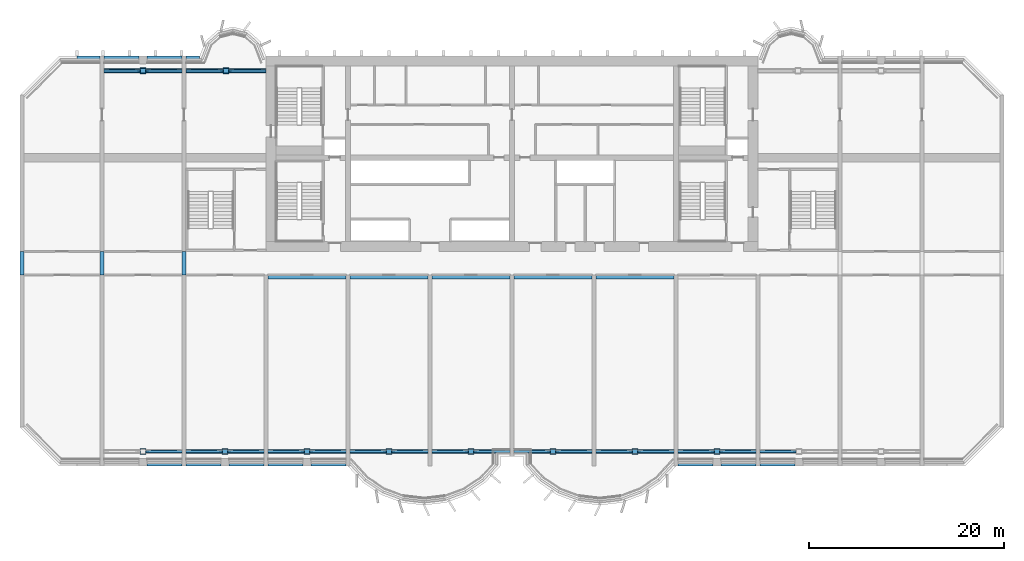
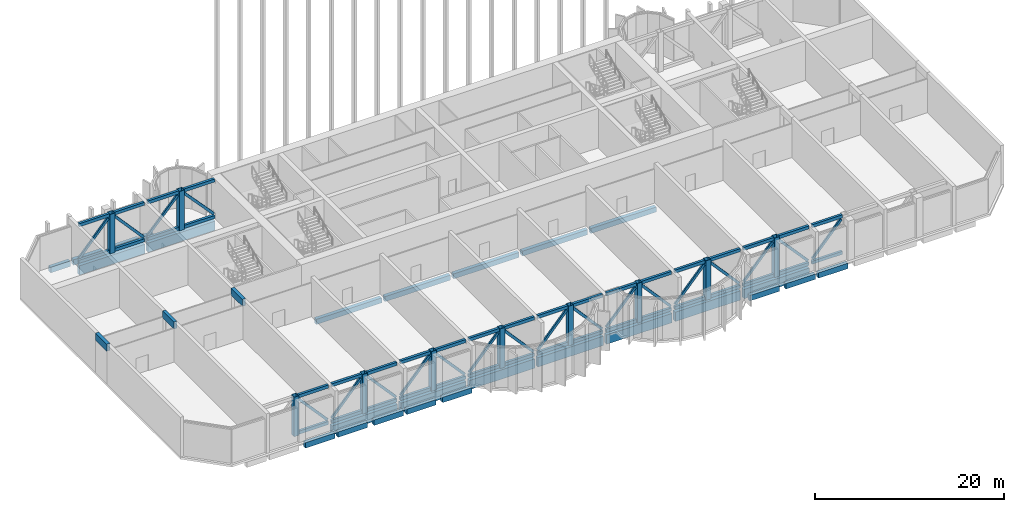
# One storey, part 2 of 17: 70 members, 29 beams.
"""IFC4 building model written with IfcOpenShell, lengths in metres."""

from ifc_helpers import new_model, si_unit, direction, frame, origin, origin_2d, place, context, subcontext, project, spatial, rectangle, hollow_rectangle, extrude, source, transform, mapped, material, material_profile, profile_set, type_object, element, save


model = new_model("IFC4")

# Units and contexts
model_context = context("Model", 3, precision=1e-05, world=origin(), true_north=direction((0.0, 1.0)))
body_context = subcontext(model_context, "Body", "Model", "MODEL_VIEW")
ifc_project = project(units=[si_unit("LENGTHUNIT", "METRE"), si_unit("AREAUNIT", "SQUARE_METRE"), si_unit("VOLUMEUNIT", "CUBIC_METRE"), si_unit("PLANEANGLEUNIT", "RADIAN"), si_unit("MASSUNIT", "GRAM", prefix="KILO")], contexts=[model_context])

# Site, building, storey
site_placement = place(None, origin())
site = spatial("IfcSite", under=ifc_project, at=site_placement, CompositionType="ELEMENT")
building_placement = place(site_placement, origin())
building = spatial("IfcBuilding", under=site, at=building_placement, Name="Vanashikhar Sky Hotel", CompositionType="ELEMENT")
storey_placement = place(building_placement, frame((0.0, 0.0, 81.0)))
storey = spatial("IfcBuildingStorey", under=building, at=storey_placement, Name="L19", CompositionType="ELEMENT", Elevation=81.0)

# Beams
ifc_material_1 = material(Name="Concrete M50", Category="concrete")
ifc_material_profile_1 = material_profile(ifc_material_1, rectangle(XDim=0.39990234375, YDim=0.89990234375, at=origin_2d()))
ifc_profile_set_1 = profile_set([ifc_material_profile_1], Name="RC 400x900 beam Concrete M50")
beam_type_1 = type_object("IfcBeamType", Name="RC 400x900 beam Concrete M50", PredefinedType="LINTEL", material=ifc_profile_set_1)
shared_shape_1 = source(origin(), body_context, "Body", "SweptSolid", [
    extrude(rectangle(XDim=0.39990234375, YDim=0.89990234375, at=origin_2d()), origin(), (0.0, 0.0, 1.0), 2.39990234375),
])
for number, where, z_axis, x_axis, name in (
    (1, (0.199951171875, 19.60009765625, 4.669921875), (0.0, 1.0, 0.0), (-1.0, 0.0, 0.0), "LB-L19-XW01"),
    (2, (8.39990234375, 19.60009765625, 4.669921875), (0.0, 1.0, 0.0), (-1.0, 0.0, 0.0), "LB-L19-XW02"),
    (3, (16.800048828125, 19.60009765625, 4.669921875), (0.0, 1.0, 0.0), (-1.0, 0.0, 0.0), "LB-L19-XW03"),
):
    element("IfcBeam", number, at=place(storey_placement, frame(where, z_axis=z_axis, x_axis=x_axis)), inside=storey, type_object=beam_type_1, Name=name, PredefinedType="LINTEL", context=body_context, shape_type="MappedRepresentation", body=[
        mapped(shared_shape_1, transform((0.0, 0.0, 0.0), scale=1.0)),
    ])
ifc_material_profile_2 = material_profile(ifc_material_1, rectangle(XDim=0.449951171875, YDim=0.699951171875, at=origin_2d()))
ifc_profile_set_2 = profile_set([ifc_material_profile_2], Name="RC 450x700 beam Concrete M50")
beam_type_2 = type_object("IfcBeamType", Name="RC 450x700 beam Concrete M50", PredefinedType="BEAM", material=ifc_profile_set_2)
shared_shape_2 = source(origin(), body_context, "Body", "SweptSolid", [
    extrude(rectangle(XDim=0.449951171875, YDim=0.699951171875, at=origin_2d()), origin(), (0.0, 0.0, 1.0), 3.599853515625),
])
for number, where, z_axis, x_axis, name in (
    (4, (29.800048828125, 0.22509765625, -0.6298828125), (1.0, 0.0, 0.0), (0.0, 1.0, 0.0), "EB-L19-F06"),
    (5, (71.800048828125, 0.22509765625, -0.6298828125), (1.0, 0.0, 0.0), (0.0, 1.0, 0.0), "EB-L19-F09"),
    (6, (75.800048828125, 0.22509765625, -0.6298828125), (1.0, 0.0, 0.0), (0.0, 1.0, 0.0), "EB-L19-F10"),
    (7, (8.60009765625, 41.77490234375, -0.6298828125), (1.0, 0.0, 0.0), (0.0, 1.0, 0.0), "EB-L19-R01"),
):
    element("IfcBeam", number, at=place(storey_placement, frame(where, z_axis=z_axis, x_axis=x_axis)), inside=storey, type_object=beam_type_2, Name=name, PredefinedType="BEAM", context=body_context, shape_type="MappedRepresentation", body=[
        mapped(shared_shape_2, transform((0.0, 0.0, 0.0), scale=1.0)),
    ])
shared_shape_3 = source(origin(), body_context, "Body", "SweptSolid", [
    extrude(rectangle(XDim=0.449951171875, YDim=0.699951171875, at=origin_2d()), origin(), (0.0, 0.0, 1.0), 3.60009765625),
])
for number, where, z_axis, x_axis, name in (
    (8, (13.0, 0.22509765625, -0.6298828125), (1.0, 0.0, 0.0), (0.0, 1.0, 0.0), "EB-L19-F02"),
    (9, (17.0, 0.22509765625, -0.6298828125), (1.0, 0.0, 0.0), (0.0, 1.0, 0.0), "EB-L19-F03"),
    (10, (21.39990234375, 0.22509765625, -0.6298828125), (1.0, 0.0, 0.0), (0.0, 1.0, 0.0), "EB-L19-F04"),
    (11, (25.39990234375, 0.22509765625, -0.6298828125), (1.0, 0.0, 0.0), (0.0, 1.0, 0.0), "EB-L19-F05"),
    (12, (67.39990234375, 0.22509765625, -0.6298828125), (1.0, 0.0, 0.0), (0.0, 1.0, 0.0), "EB-L19-F08"),
    (13, (13.0, 41.77490234375, -0.6298828125), (1.0, 0.0, 0.0), (0.0, 1.0, 0.0), "EB-L19-R02"),
):
    element("IfcBeam", number, at=place(storey_placement, frame(where, z_axis=z_axis, x_axis=x_axis)), inside=storey, type_object=beam_type_2, Name=name, PredefinedType="BEAM", context=body_context, shape_type="MappedRepresentation", body=[
        mapped(shared_shape_3, transform((0.0, 0.0, 0.0), scale=1.0)),
    ])
ifc_material_profile_3 = material_profile(ifc_material_1, rectangle(XDim=0.449951171875, YDim=0.699951171875, at=origin_2d()))
ifc_profile_set_3 = profile_set([ifc_material_profile_3], Name="RC 450x700 cantilever beam Concrete M50")
beam_type_3 = type_object("IfcBeamType", Name="RC 450x700 cantilever beam Concrete M50", PredefinedType="SPANDREL", material=ifc_profile_set_3)
shared_shape_4 = source(origin(), body_context, "Body", "SweptSolid", [
    extrude(rectangle(XDim=0.449951171875, YDim=0.699951171875, at=origin_2d()), origin(), (0.0, 0.0, 1.0), 2.3798828125),
])
beam_1_placement = place(storey_placement, frame((5.820068359375, 41.77490234375, -0.6298828125), z_axis=(1.0, 0.0, 0.0), x_axis=(0.0, 1.0, 0.0)))
element("IfcBeam", 14, at=beam_1_placement, inside=storey, type_object=beam_type_3, Name="EB-L19-R03", PredefinedType="SPANDREL", context=body_context, shape_type="MappedRepresentation", body=[
    mapped(shared_shape_4, transform((0.0, 0.0, 0.0), scale=1.0)),
])
shared_shape_5 = source(origin(), body_context, "Body", "SweptSolid", [
    extrude(rectangle(XDim=0.449951171875, YDim=0.699951171875, at=origin_2d()), origin(), (0.0, 0.0, 1.0), 1.39990234375),
])
beam_2_placement = place(storey_placement, frame((17.0, 41.77490234375, -0.6298828125), z_axis=(1.0, 0.0, 0.0), x_axis=(0.0, 1.0, 0.0)))
element("IfcBeam", 15, at=beam_2_placement, inside=storey, type_object=beam_type_3, Name="EB-L19-R04", PredefinedType="SPANDREL", context=body_context, shape_type="MappedRepresentation", body=[
    mapped(shared_shape_5, transform((0.0, 0.0, 0.0), scale=1.0)),
])
ifc_material_profile_4 = material_profile(ifc_material_1, rectangle(XDim=0.449951171875, YDim=0.64990234375, at=origin_2d()))
ifc_profile_set_4 = profile_set([ifc_material_profile_4], Name="RC 450x650 beam Concrete M50")
beam_type_4 = type_object("IfcBeamType", Name="RC 450x650 beam Concrete M50", PredefinedType="BEAM", material=ifc_profile_set_4)
shared_shape_6 = source(origin(), body_context, "Body", "SweptSolid", [
    extrude(rectangle(XDim=0.449951171875, YDim=0.64990234375, at=origin_2d()), origin(), (0.0, 0.0, 1.0), 8.0),
])
for number, where, z_axis, x_axis, name in (
    (16, (25.39990234375, 19.375, -0.60498046875), (1.0, 0.0, 0.0), (0.0, 1.0, 0.0), "CB-L19-01"),
    (17, (33.800048828125, 19.375, -0.60498046875), (1.0, 0.0, 0.0), (0.0, 1.0, 0.0), "CB-L19-02"),
    (18, (42.199951171875, 19.375, -0.60498046875), (1.0, 0.0, 0.0), (0.0, 1.0, 0.0), "CB-L19-03"),
    (19, (50.60009765625, 19.375, -0.60498046875), (1.0, 0.0, 0.0), (0.0, 1.0, 0.0), "CB-L19-04"),
    (20, (59.0, 19.375, -0.60498046875), (1.0, 0.0, 0.0), (0.0, 1.0, 0.0), "CB-L19-05"),
):
    element("IfcBeam", number, at=place(storey_placement, frame(where, z_axis=z_axis, x_axis=x_axis)), inside=storey, type_object=beam_type_4, Name=name, PredefinedType="BEAM", context=body_context, shape_type="MappedRepresentation", body=[
        mapped(shared_shape_6, transform((0.0, 0.0, 0.0), scale=1.0)),
    ])
ifc_material_profile_5 = material_profile(ifc_material_1, rectangle(XDim=0.449951171875, YDim=1.199951171875, at=origin_2d()))
ifc_profile_set_5 = profile_set([ifc_material_profile_5], Name="RC 450x1200 beam Concrete M50")
beam_type_5 = type_object("IfcBeamType", Name="RC 450x1200 beam Concrete M50", PredefinedType="BEAM", material=ifc_profile_set_5)
shared_shape_7 = source(origin(), body_context, "Body", "SweptSolid", [
    extrude(rectangle(XDim=0.449951171875, YDim=1.199951171875, at=origin_2d()), origin(), (0.0, 0.0, 1.0), 8.0),
])
for number, where, z_axis, x_axis, name in (
    (21, (17.0, 1.5, -0.8798828125), (1.0, 0.0, 0.0), (0.0, 1.0, 0.0), "TG-L19-F02"),
    (22, (25.39990234375, 1.5, -0.8798828125), (1.0, 0.0, 0.0), (0.0, 1.0, 0.0), "TG-L19-F03"),
    (23, (33.800048828125, 1.5, -0.8798828125), (1.0, 0.0, 0.0), (0.0, 1.0, 0.0), "TG-L19-F04"),
    (24, (42.199951171875, 1.5, -0.8798828125), (1.0, 0.0, 0.0), (0.0, 1.0, 0.0), "TG-L19-F05"),
    (25, (50.60009765625, 1.5, -0.8798828125), (1.0, 0.0, 0.0), (0.0, 1.0, 0.0), "TG-L19-F06"),
    (26, (59.0, 1.5, -0.8798828125), (1.0, 0.0, 0.0), (0.0, 1.0, 0.0), "TG-L19-F07"),
    (27, (67.39990234375, 1.5, -0.8798828125), (1.0, 0.0, 0.0), (0.0, 1.0, 0.0), "TG-L19-F08"),
    (28, (8.60009765625, 40.5, -0.8798828125), (1.0, 0.0, 0.0), (0.0, 1.0, 0.0), "TG-L19-R11"),
):
    element("IfcBeam", number, at=place(storey_placement, frame(where, z_axis=z_axis, x_axis=x_axis)), inside=storey, type_object=beam_type_5, Name=name, PredefinedType="BEAM", context=body_context, shape_type="MappedRepresentation", body=[
        mapped(shared_shape_7, transform((0.0, 0.0, 0.0), scale=1.0)),
    ])

# Members
ifc_material_2 = material(Name="Steel S355", Category="steel")
ifc_material_profile_6 = material_profile(ifc_material_2, hollow_rectangle(XDim=0.60009765625, YDim=0.60009765625, WallThickness=0.030029296875, at=origin_2d()))
ifc_profile_set_6 = profile_set([ifc_material_profile_6], Name="RHS 600x600x30 Steel S355")
member_type_1 = type_object("IfcMemberType", Name="RHS 600x600x30 Steel S355", PredefinedType="POST", material=ifc_profile_set_6)
shared_shape_8 = source(origin(), body_context, "Body", "SweptSolid", [
    extrude(hollow_rectangle(XDim=0.60009765625, YDim=0.60009765625, WallThickness=0.030029296875, at=origin_2d()), origin(), (0.0, 0.0, 1.0), 5.1201171875),
])
for number, where, z_axis, x_axis, name in (
    (29, (12.60009765625, 1.5, 0.0), (0.0, 0.0, 1.0), (1.0, 0.0, 0.0), "BP-L19-F01"),
    (30, (21.0, 1.5, 0.0), (0.0, 0.0, 1.0), (1.0, 0.0, 0.0), "BP-L19-F02"),
    (31, (29.39990234375, 1.5, 0.0), (0.0, 0.0, 1.0), (1.0, 0.0, 0.0), "BP-L19-F03"),
    (32, (37.800048828125, 1.5, 0.0), (0.0, 0.0, 1.0), (1.0, 0.0, 0.0), "BP-L19-F04"),
    (33, (46.199951171875, 1.5, 0.0), (0.0, 0.0, 1.0), (1.0, 0.0, 0.0), "BP-L19-F05"),
    (34, (54.60009765625, 1.5, 0.0), (0.0, 0.0, 1.0), (1.0, 0.0, 0.0), "BP-L19-F06"),
    (35, (63.0, 1.5, 0.0), (0.0, 0.0, 1.0), (1.0, 0.0, 0.0), "BP-L19-F07"),
    (36, (71.39990234375, 1.5, 0.0), (0.0, 0.0, 1.0), (1.0, 0.0, 0.0), "BP-L19-F08"),
    (37, (12.60009765625, 40.5, 0.0), (0.0, 0.0, 1.0), (1.0, 0.0, 0.0), "BP-L19-R11"),
    (38, (21.10009765625, 40.5, 0.0), (0.0, 0.0, 1.0), (1.0, 0.0, 0.0), "BP-L19-R12"),
):
    element("IfcMember", number, at=place(storey_placement, frame(where, z_axis=z_axis, x_axis=x_axis)), inside=storey, type_object=member_type_1, Name=name, PredefinedType="POST", context=body_context, shape_type="MappedRepresentation", body=[
        mapped(shared_shape_8, transform((0.0, 0.0, 0.0), scale=1.0)),
    ])
ifc_material_profile_7 = material_profile(ifc_material_2, hollow_rectangle(XDim=0.300048828125, YDim=0.39990234375, WallThickness=0.01611328125, at=origin_2d()))
ifc_profile_set_7 = profile_set([ifc_material_profile_7], Name="RHS 400x300x16 Steel S355")
member_type_2 = type_object("IfcMemberType", Name="RHS 400x300x16 Steel S355", PredefinedType="CHORD", material=ifc_profile_set_7)
shared_shape_9 = source(origin(), body_context, "Body", "SweptSolid", [
    extrude(hollow_rectangle(XDim=0.300048828125, YDim=0.39990234375, WallThickness=0.01611328125, at=origin_2d()), origin(), (0.0, 0.0, 1.0), 3.699951171875),
])
for number, where, z_axis, x_axis, name in (
    (39, (17.0, 1.5, 0.199951171875), (1.0, 0.0, 0.0), (0.0, 1.0, 0.0), "BC-L19-F02BL"),
    (40, (21.300048828125, 1.5, 0.199951171875), (1.0, 0.0, 0.0), (0.0, 1.0, 0.0), "BC-L19-F02BR"),
    (41, (17.0, 1.5, 4.919921875), (1.0, 0.0, 0.0), (0.0, 1.0, 0.0), "BC-L19-F02TL"),
    (42, (21.300048828125, 1.5, 4.919921875), (1.0, 0.0, 0.0), (0.0, 1.0, 0.0), "BC-L19-F02TR"),
    (43, (29.699951171875, 1.5, 0.199951171875), (1.0, 0.0, 0.0), (0.0, 1.0, 0.0), "BC-L19-F03BR"),
    (44, (29.699951171875, 1.5, 4.919921875), (1.0, 0.0, 0.0), (0.0, 1.0, 0.0), "BC-L19-F03TR"),
    (45, (33.800048828125, 1.5, 0.199951171875), (1.0, 0.0, 0.0), (0.0, 1.0, 0.0), "BC-L19-F04BL"),
    (46, (38.10009765625, 1.5, 0.199951171875), (1.0, 0.0, 0.0), (0.0, 1.0, 0.0), "BC-L19-F04BR"),
    (47, (33.800048828125, 1.5, 4.919921875), (1.0, 0.0, 0.0), (0.0, 1.0, 0.0), "BC-L19-F04TL"),
    (48, (38.10009765625, 1.5, 4.919921875), (1.0, 0.0, 0.0), (0.0, 1.0, 0.0), "BC-L19-F04TR"),
    (49, (42.199951171875, 1.5, 0.199951171875), (1.0, 0.0, 0.0), (0.0, 1.0, 0.0), "BC-L19-F05BL"),
    (50, (46.5, 1.5, 0.199951171875), (1.0, 0.0, 0.0), (0.0, 1.0, 0.0), "BC-L19-F05BR"),
    (51, (42.199951171875, 1.5, 4.919921875), (1.0, 0.0, 0.0), (0.0, 1.0, 0.0), "BC-L19-F05TL"),
    (52, (46.5, 1.5, 4.919921875), (1.0, 0.0, 0.0), (0.0, 1.0, 0.0), "BC-L19-F05TR"),
    (53, (50.60009765625, 1.5, 0.199951171875), (1.0, 0.0, 0.0), (0.0, 1.0, 0.0), "BC-L19-F06BL"),
    (54, (50.60009765625, 1.5, 4.919921875), (1.0, 0.0, 0.0), (0.0, 1.0, 0.0), "BC-L19-F06TL"),
    (55, (59.0, 1.5, 0.199951171875), (1.0, 0.0, 0.0), (0.0, 1.0, 0.0), "BC-L19-F07BL"),
    (56, (63.300048828125, 1.5, 0.199951171875), (1.0, 0.0, 0.0), (0.0, 1.0, 0.0), "BC-L19-F07BR"),
    (57, (59.0, 1.5, 4.919921875), (1.0, 0.0, 0.0), (0.0, 1.0, 0.0), "BC-L19-F07TL"),
    (58, (63.300048828125, 1.5, 4.919921875), (1.0, 0.0, 0.0), (0.0, 1.0, 0.0), "BC-L19-F07TR"),
    (59, (71.699951171875, 1.5, 0.199951171875), (1.0, 0.0, 0.0), (0.0, 1.0, 0.0), "BC-L19-F08BR"),
    (60, (71.699951171875, 1.5, 4.919921875), (1.0, 0.0, 0.0), (0.0, 1.0, 0.0), "BC-L19-F08TR"),
    (61, (75.800048828125, 1.5, 0.199951171875), (1.0, 0.0, 0.0), (0.0, 1.0, 0.0), "BC-L19-F09BL"),
    (62, (75.800048828125, 1.5, 4.919921875), (1.0, 0.0, 0.0), (0.0, 1.0, 0.0), "BC-L19-F09TL"),
    (63, (8.60009765625, 40.5, 0.199951171875), (1.0, 0.0, 0.0), (0.0, 1.0, 0.0), "BC-L19-R11BL"),
    (64, (8.60009765625, 40.5, 4.919921875), (1.0, 0.0, 0.0), (0.0, 1.0, 0.0), "BC-L19-R11TL"),
):
    element("IfcMember", number, at=place(storey_placement, frame(where, z_axis=z_axis, x_axis=x_axis)), inside=storey, type_object=member_type_2, Name=name, PredefinedType="CHORD", context=body_context, shape_type="MappedRepresentation", body=[
        mapped(shared_shape_9, transform((0.0, 0.0, 0.0), scale=1.0)),
    ])
shared_shape_10 = source(origin(), body_context, "Body", "SweptSolid", [
    extrude(hollow_rectangle(XDim=0.300048828125, YDim=0.39990234375, WallThickness=0.01611328125, at=origin_2d()), origin(), (0.0, 0.0, 1.0), 3.7001953125),
])
for number, where, z_axis, x_axis, name in (
    (65, (12.89990234375, 1.5, 0.199951171875), (1.0, 0.0, 0.0), (0.0, 1.0, 0.0), "BC-L19-F01BR"),
    (66, (12.89990234375, 1.5, 4.919921875), (1.0, 0.0, 0.0), (0.0, 1.0, 0.0), "BC-L19-F01TR"),
    (67, (25.39990234375, 1.5, 0.199951171875), (1.0, 0.0, 0.0), (0.0, 1.0, 0.0), "BC-L19-F03BL"),
    (68, (25.39990234375, 1.5, 4.919921875), (1.0, 0.0, 0.0), (0.0, 1.0, 0.0), "BC-L19-F03TL"),
    (69, (54.89990234375, 1.5, 0.199951171875), (1.0, 0.0, 0.0), (0.0, 1.0, 0.0), "BC-L19-F06BR"),
    (70, (54.89990234375, 1.5, 4.919921875), (1.0, 0.0, 0.0), (0.0, 1.0, 0.0), "BC-L19-F06TR"),
    (71, (67.39990234375, 1.5, 0.199951171875), (1.0, 0.0, 0.0), (0.0, 1.0, 0.0), "BC-L19-F08BL"),
    (72, (67.39990234375, 1.5, 4.919921875), (1.0, 0.0, 0.0), (0.0, 1.0, 0.0), "BC-L19-F08TL"),
    (73, (12.89990234375, 40.5, 0.199951171875), (1.0, 0.0, 0.0), (0.0, 1.0, 0.0), "BC-L19-R11BR"),
    (74, (12.89990234375, 40.5, 4.919921875), (1.0, 0.0, 0.0), (0.0, 1.0, 0.0), "BC-L19-R11TR"),
):
    element("IfcMember", number, at=place(storey_placement, frame(where, z_axis=z_axis, x_axis=x_axis)), inside=storey, type_object=member_type_2, Name=name, PredefinedType="CHORD", context=body_context, shape_type="MappedRepresentation", body=[
        mapped(shared_shape_10, transform((0.0, 0.0, 0.0), scale=1.0)),
    ])
ifc_material_profile_8 = material_profile(ifc_material_2, hollow_rectangle(XDim=0.199951171875, YDim=0.300048828125, WallThickness=0.011962890625, at=origin_2d()))
ifc_profile_set_8 = profile_set([ifc_material_profile_8], Name="RHS 300x200x12 Steel S355")
member_type_3 = type_object("IfcMemberType", Name="RHS 300x200x12 Steel S355", PredefinedType="BRACE", material=ifc_profile_set_8)
shared_shape_11 = source(origin(), body_context, "Body", "SweptSolid", [
    extrude(hollow_rectangle(XDim=0.199951171875, YDim=0.300048828125, WallThickness=0.011962890625, at=origin_2d()), origin(), (0.0, 0.0, 1.0), 5.268310546875),
])
for number, where, z_axis, x_axis, name in (
    (75, (16.510009765625, 1.5, 0.60009765625), (-0.668134797628, 0.0, 0.744040249044), (0.0, -1.0, 0.0), "BD-L19-F01R"),
    (76, (17.090087890625, 1.5, 0.60009765625), (0.668134797628, 0.0, 0.744040249044), (0.0, 1.0, 0.0), "BD-L19-F02L"),
    (77, (24.909912109375, 1.5, 0.60009765625), (-0.668134797628, 0.0, 0.744040249044), (0.0, -1.0, 0.0), "BD-L19-F02R"),
    (78, (25.489990234375, 1.5, 0.60009765625), (0.668134797628, 0.0, 0.744040249044), (0.0, 1.0, 0.0), "BD-L19-F03L"),
    (79, (33.31005859375, 1.5, 0.60009765625), (-0.668134797628, 0.0, 0.744040249044), (0.0, -1.0, 0.0), "BD-L19-F03R"),
    (80, (33.889892578125, 1.5, 0.60009765625), (0.668134797628, 0.0, 0.744040249044), (0.0, 1.0, 0.0), "BD-L19-F04L"),
    (81, (41.7099609375, 1.5, 0.60009765625), (-0.668134797628, 0.0, 0.744040249044), (0.0, -1.0, 0.0), "BD-L19-F04R"),
    (82, (42.2900390625, 1.5, 0.60009765625), (0.668134797628, 0.0, 0.744040249044), (0.0, 1.0, 0.0), "BD-L19-F05L"),
    (83, (50.110107421875, 1.5, 0.60009765625), (-0.668134797628, 0.0, 0.744040249044), (0.0, -1.0, 0.0), "BD-L19-F05R"),
    (84, (50.68994140625, 1.5, 0.60009765625), (0.668134797628, 0.0, 0.744040249044), (0.0, 1.0, 0.0), "BD-L19-F06L"),
    (85, (58.510009765625, 1.5, 0.60009765625), (-0.668134797628, 0.0, 0.744040249044), (0.0, -1.0, 0.0), "BD-L19-F06R"),
    (86, (59.090087890625, 1.5, 0.60009765625), (0.668134797628, 0.0, 0.744040249044), (0.0, 1.0, 0.0), "BD-L19-F07L"),
    (87, (66.909912109375, 1.5, 0.60009765625), (-0.668134797628, 0.0, 0.744040249044), (0.0, -1.0, 0.0), "BD-L19-F07R"),
    (88, (67.489990234375, 1.5, 0.60009765625), (0.668134797628, 0.0, 0.744040249044), (0.0, 1.0, 0.0), "BD-L19-F08L"),
    (89, (75.31005859375, 1.5, 0.60009765625), (-0.668134797628, 0.0, 0.744040249044), (0.0, -1.0, 0.0), "BD-L19-F08R"),
    (90, (75.889892578125, 1.5, 0.60009765625), (0.668134797628, 0.0, 0.744040249044), (0.0, 1.0, 0.0), "BD-L19-F09L"),
    (91, (8.68994140625, 40.5, 0.60009765625), (0.668134797628, 0.0, 0.744040249044), (0.0, 1.0, 0.0), "BD-L19-R11L"),
    (92, (16.510009765625, 40.5, 0.60009765625), (-0.668134797628, 0.0, 0.744040249044), (0.0, -1.0, 0.0), "BD-L19-R11R"),
):
    element("IfcMember", number, at=place(storey_placement, frame(where, z_axis=z_axis, x_axis=x_axis)), inside=storey, type_object=member_type_3, Name=name, PredefinedType="BRACE", context=body_context, shape_type="MappedRepresentation", body=[
        mapped(shared_shape_11, transform((0.0, 0.0, 0.0), scale=1.0)),
    ])

# Beam
shared_shape_12 = source(origin(), body_context, "Body", "SweptSolid", [
    extrude(rectangle(XDim=0.449951171875, YDim=1.199951171875, at=origin_2d()), origin(), (0.0, 0.0, 1.0), 8.199951171875),
])
beam_3_placement = place(storey_placement, frame((17.0, 40.5, -0.8798828125), z_axis=(1.0, 0.0, 0.0), x_axis=(0.0, 1.0, 0.0)))
element("IfcBeam", 93, at=beam_3_placement, inside=storey, type_object=beam_type_5, Name="TG-L19-R12", PredefinedType="BEAM", context=body_context, shape_type="MappedRepresentation", body=[
    mapped(shared_shape_12, transform((0.0, 0.0, 0.0), scale=1.0)),
])

# Members
shared_shape_13 = source(origin(), body_context, "Body", "SweptSolid", [
    extrude(hollow_rectangle(XDim=0.300048828125, YDim=0.39990234375, WallThickness=0.01611328125, at=origin_2d()), origin(), (0.0, 0.0, 1.0), 3.800048828125),
])
for number, where, z_axis, x_axis, name in (
    (94, (17.0, 40.5, 0.199951171875), (1.0, 0.0, 0.0), (0.0, 1.0, 0.0), "BC-L19-R12BL"),
    (95, (21.39990234375, 40.5, 0.199951171875), (1.0, 0.0, 0.0), (0.0, 1.0, 0.0), "BC-L19-R12BR"),
    (96, (17.0, 40.5, 4.919921875), (1.0, 0.0, 0.0), (0.0, 1.0, 0.0), "BC-L19-R12TL"),
    (97, (21.39990234375, 40.5, 4.919921875), (1.0, 0.0, 0.0), (0.0, 1.0, 0.0), "BC-L19-R12TR"),
):
    element("IfcMember", number, at=place(storey_placement, frame(where, z_axis=z_axis, x_axis=x_axis)), inside=storey, type_object=member_type_2, Name=name, PredefinedType="CHORD", context=body_context, shape_type="MappedRepresentation", body=[
        mapped(shared_shape_13, transform((0.0, 0.0, 0.0), scale=1.0)),
    ])
shared_shape_14 = source(origin(), body_context, "Body", "SweptSolid", [
    extrude(hollow_rectangle(XDim=0.199951171875, YDim=0.300048828125, WallThickness=0.011962890625, at=origin_2d()), origin(), (0.0, 0.0, 1.0), 5.335693359375),
])
member_1_placement = place(storey_placement, frame((17.090087890625, 40.5, 0.60009765625), z_axis=(0.678430222212, 0.0, 0.734664844395), x_axis=(0.0, 1.0, 0.0)))
element("IfcMember", 98, at=member_1_placement, inside=storey, type_object=member_type_3, Name="BD-L19-R12L", PredefinedType="BRACE", context=body_context, shape_type="MappedRepresentation", body=[
    mapped(shared_shape_14, transform((0.0, 0.0, 0.0), scale=1.0)),
])
shared_shape_15 = source(origin(), body_context, "Body", "SweptSolid", [
    extrude(hollow_rectangle(XDim=0.199951171875, YDim=0.300048828125, WallThickness=0.011962890625, at=origin_2d()), origin(), (0.0, 0.0, 1.0), 5.3359375),
])
member_2_placement = place(storey_placement, frame((25.110107421875, 40.5, 0.60009765625), z_axis=(-0.678454917278, 0.0, 0.734642038833), x_axis=(0.0, -1.0, 0.0)))
element("IfcMember", 99, at=member_2_placement, inside=storey, type_object=member_type_3, Name="BD-L19-R12R", PredefinedType="BRACE", context=body_context, shape_type="MappedRepresentation", body=[
    mapped(shared_shape_15, transform((0.0, 0.0, 0.0), scale=1.0)),
])

save(model, "model.ifc")
